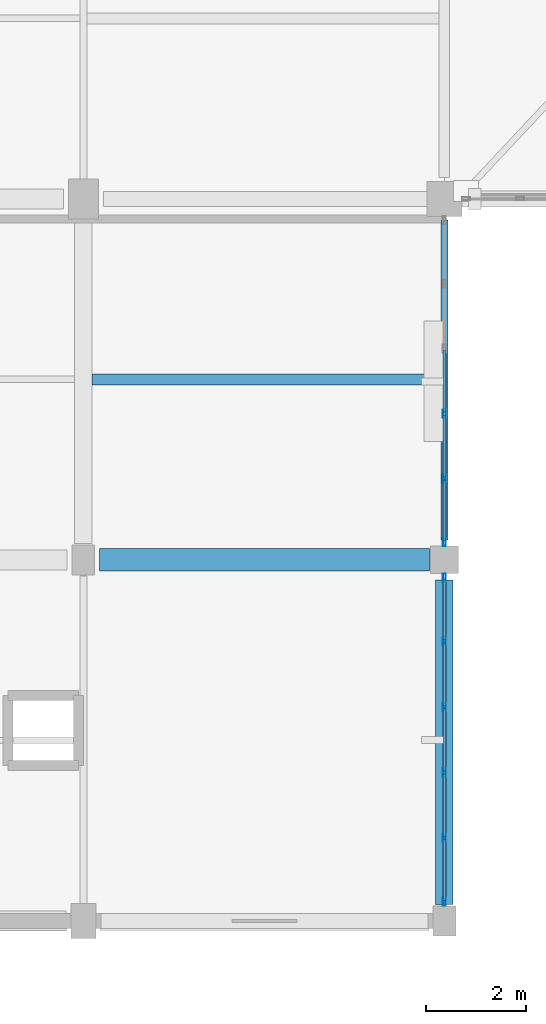
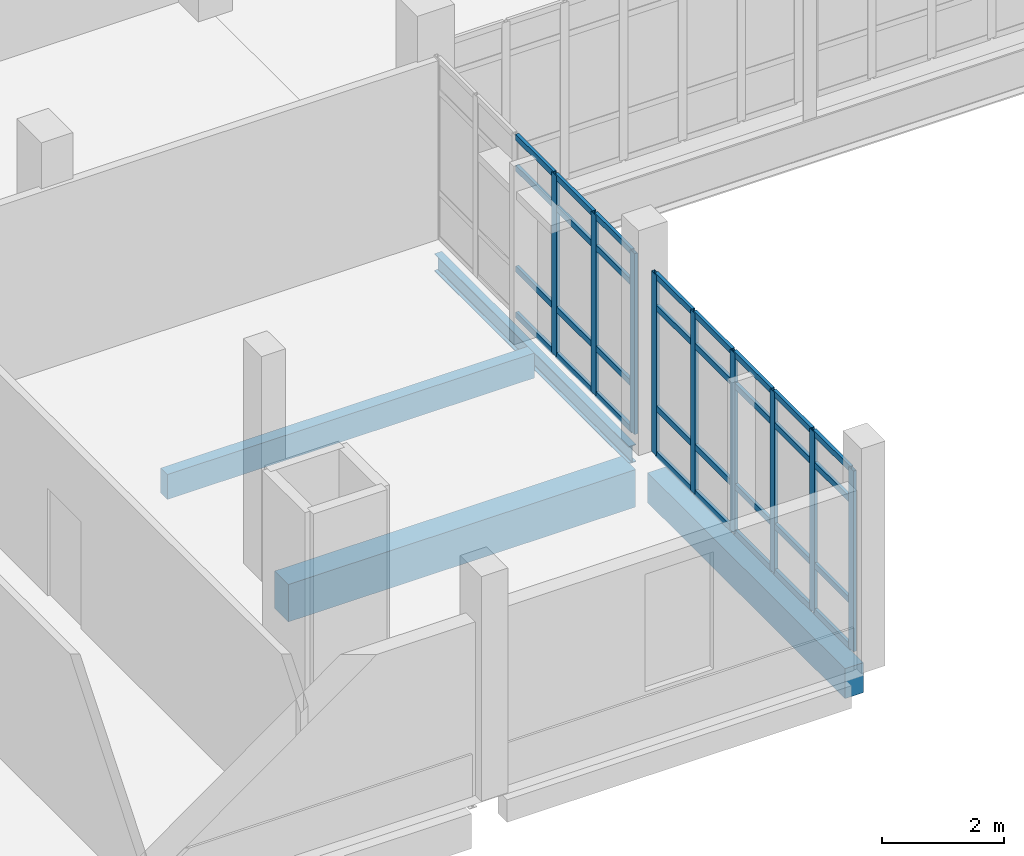
# One storey, part 11 of 124: 41 members, 4 beams, 2 elements without a shape of their own.
"""IFC4 building model written with IfcOpenShell, lengths in metres."""

from ifc_helpers import new_model, si_unit, direction, frame, origin, origin_2d, place, context, subcontext, project, spatial, rectangle, hollow_rectangle, i_section, extrude, material, material_profile, profile_set, type_object, element, aggregate, save


model = new_model("IFC4")

# Units and contexts
model_context = context("Model", 3, precision=1e-05, world=origin(), true_north=direction((0.0, 1.0)))
body_context = subcontext(model_context, "Body", "Model", "MODEL_VIEW")
ifc_project = project(units=[si_unit("LENGTHUNIT", "METRE"), si_unit("AREAUNIT", "SQUARE_METRE"), si_unit("VOLUMEUNIT", "CUBIC_METRE"), si_unit("PLANEANGLEUNIT", "RADIAN"), si_unit("MASSUNIT", "GRAM", prefix="KILO")], contexts=[model_context])

# Site, building, storey
site_placement = place(None, origin())
site = spatial("IfcSite", under=ifc_project, at=site_placement, CompositionType="ELEMENT")
building_placement = place(site_placement, origin())
building = spatial("IfcBuilding", under=site, at=building_placement, Name="Kalluvel Institute of Natural Sciences", CompositionType="ELEMENT")
storey_placement = place(building_placement, frame((0.0, 0.0, 9.89990234375)))
storey = spatial("IfcBuildingStorey", under=building, at=storey_placement, Name="L02", CompositionType="ELEMENT", Elevation=9.89990234375)

# Beams
ifc_material_1 = material(Name="Steel E350 Grade 350", Category="steel")
ifc_material_profile_1 = material_profile(ifc_material_1, i_section(OverallWidth=0.139892578125, OverallDepth=0.35009765625, WebThickness=0.008056640625, FlangeThickness=0.01416015625, FilletRadius=0.013916015625, at=origin_2d()), Name="ISMB 350")
ifc_profile_set_1 = profile_set([ifc_material_profile_1], Name="Steel E350 Grade 350")
beam_type_1 = type_object("IfcBeamType", Name="BM-ISMB350", PredefinedType="BEAM", material=ifc_profile_set_1)
beam_1_placement = place(storey_placement, frame((35.60009765625, 21.60009765625, -0.474853515625), z_axis=(0.0, 1.0, 0.0), x_axis=(-1.0, 0.0, 0.0)))
element("IfcBeam", 1, at=beam_1_placement, inside=storey, type_object=beam_type_1, Name="L02 girder GIR-L02-NS-X356-Y212", PredefinedType="BEAM", context=body_context, shape_type="SweptSolid", body=[
    extrude(i_section(OverallWidth=0.139892578125, OverallDepth=0.35009765625, WebThickness=0.008056640625, FlangeThickness=0.01416015625, FilletRadius=0.013916015625, at=origin_2d()), origin(), (0.0, 0.0, 1.0), 6.375),
])
ifc_material_2 = material(Name="Concrete M40", Category="concrete")
ifc_material_profile_2 = material_profile(ifc_material_2, rectangle(XDim=0.35009765625, YDim=0.60009765625, at=origin_2d()), Name="RCB 350x600")
ifc_profile_set_2 = profile_set([ifc_material_profile_2], Name="Concrete M40")
beam_type_2 = type_object("IfcBeamType", Name="BM-RC350x600", PredefinedType="BEAM", material=ifc_profile_set_2)
beam_2_placement = place(storey_placement, frame((35.60009765625, 14.324951171875, -0.599853515625), z_axis=(0.0, 1.0, 0.0), x_axis=(-1.0, 0.0, 0.0)))
element("IfcBeam", 2, at=beam_2_placement, inside=storey, type_object=beam_type_2, Name="L02 girder GIR-L02-NS-X356-Y140", PredefinedType="BEAM", context=body_context, shape_type="SweptSolid", body=[
    extrude(rectangle(XDim=0.35009765625, YDim=0.60009765625, at=origin_2d()), origin(), (0.0, 0.0, 1.0), 6.47509765625),
])
ifc_material_profile_3 = material_profile(ifc_material_2, rectangle(XDim=0.449951171875, YDim=0.75, at=origin_2d()), Name="RCB 450x750")
ifc_profile_set_3 = profile_set([ifc_material_profile_3], Name="Concrete M40")
beam_type_3 = type_object("IfcBeamType", Name="BM-RC450x750", PredefinedType="BEAM", material=ifc_profile_set_3)
beam_3_placement = place(storey_placement, frame((28.72509765625, 21.199951171875, -0.6748046875), z_axis=(1.0, 0.0, 0.0), x_axis=(0.0, 1.0, 0.0)))
element("IfcBeam", 3, at=beam_3_placement, inside=storey, type_object=beam_type_3, Name="L02 girder GIR-L02-EW-X284-Y212", PredefinedType="BEAM", context=body_context, shape_type="SweptSolid", body=[
    extrude(rectangle(XDim=0.449951171875, YDim=0.75, at=origin_2d()), origin(), (0.0, 0.0, 1.0), 6.574951171875),
])

# Curtain wall, members
ifc_material_3 = material(Name="Aluminium AW-6063 T6", Category="aluminium")
curtain_wall_type = type_object("IfcCurtainWallType", Name="CW-DRY-45", PredefinedType="USERDEFINED", material=ifc_material_3)
curtain_wall_1_placement = place(storey_placement, origin())
curtain_wall_1 = element("IfcCurtainWall", 4, at=curtain_wall_1_placement, inside=storey, type_object=curtain_wall_type, Name="L02 Gothic lancet curtain wall CWA-L02-X356-Y144", ObjectType="UNITISED LANCET FACADE", PredefinedType="USERDEFINED")
ifc_material_profile_4 = material_profile(ifc_material_3, hollow_rectangle(XDim=0.06005859375, YDim=0.159912109375, WallThickness=0.00390625, at=origin_2d()), Name="CWM 60x160")
ifc_profile_set_4 = profile_set([ifc_material_profile_4], Name="Aluminium AW-6063 T6")
member_type_1 = type_object("IfcMemberType", Name="CWM-60x160", PredefinedType="MULLION", material=ifc_profile_set_4)
member_1_placement = place(storey_placement, frame((35.60009765625, 14.3798828125, 0.0), z_axis=(0.0, 0.0, 1.0), x_axis=(-1.0, 0.0, 0.0)))
member_1 = element("IfcMember", 5, at=member_1_placement, type_object=member_type_1, Name="CW-03 mullion 1", PredefinedType="MULLION", context=body_context, shape_type="SweptSolid", body=[
    extrude(hollow_rectangle(XDim=0.06005859375, YDim=0.159912109375, WallThickness=0.00390625, at=origin_2d()), origin(), (0.0, 0.0, 1.0), 3.6201171875),
])
member_2_placement = place(storey_placement, frame((35.60009765625, 15.655029296875, 0.0), z_axis=(0.0, 0.0, 1.0), x_axis=(-1.0, 0.0, 0.0)))
member_2 = element("IfcMember", 6, at=member_2_placement, type_object=member_type_1, Name="CW-03 mullion 2", PredefinedType="MULLION", context=body_context, shape_type="SweptSolid", body=[
    extrude(hollow_rectangle(XDim=0.06005859375, YDim=0.159912109375, WallThickness=0.00390625, at=origin_2d()), origin(), (0.0, 0.0, 1.0), 3.6201171875),
])
member_3_placement = place(storey_placement, frame((35.60009765625, 16.9599609375, 0.0), z_axis=(0.0, 0.0, 1.0), x_axis=(-1.0, 0.0, 0.0)))
member_3 = element("IfcMember", 7, at=member_3_placement, type_object=member_type_1, Name="CW-03 mullion 3", PredefinedType="MULLION", context=body_context, shape_type="SweptSolid", body=[
    extrude(hollow_rectangle(XDim=0.06005859375, YDim=0.159912109375, WallThickness=0.00390625, at=origin_2d()), origin(), (0.0, 0.0, 1.0), 3.6201171875),
])
member_4_placement = place(storey_placement, frame((35.60009765625, 18.264892578125, 0.0), z_axis=(0.0, 0.0, 1.0), x_axis=(-1.0, 0.0, 0.0)))
member_4 = element("IfcMember", 8, at=member_4_placement, type_object=member_type_1, Name="CW-03 mullion 4", PredefinedType="MULLION", context=body_context, shape_type="SweptSolid", body=[
    extrude(hollow_rectangle(XDim=0.06005859375, YDim=0.159912109375, WallThickness=0.00390625, at=origin_2d()), origin(), (0.0, 0.0, 1.0), 3.6201171875),
])
member_5_placement = place(storey_placement, frame((35.60009765625, 19.570068359375, 0.0), z_axis=(0.0, 0.0, 1.0), x_axis=(-1.0, 0.0, 0.0)))
member_5 = element("IfcMember", 9, at=member_5_placement, type_object=member_type_1, Name="CW-03 mullion 5", PredefinedType="MULLION", context=body_context, shape_type="SweptSolid", body=[
    extrude(hollow_rectangle(XDim=0.06005859375, YDim=0.159912109375, WallThickness=0.00390625, at=origin_2d()), origin(), (0.0, 0.0, 1.0), 3.6201171875),
])
member_6_placement = place(storey_placement, frame((35.60009765625, 20.844970703125, 0.0), z_axis=(0.0, 0.0, 1.0), x_axis=(-1.0, 0.0, 0.0)))
member_6 = element("IfcMember", 10, at=member_6_placement, type_object=member_type_1, Name="CW-03 mullion 6", PredefinedType="MULLION", context=body_context, shape_type="SweptSolid", body=[
    extrude(hollow_rectangle(XDim=0.06005859375, YDim=0.159912109375, WallThickness=0.00390625, at=origin_2d()), origin(), (0.0, 0.0, 1.0), 3.6201171875),
])

curtain_wall_2_placement = place(storey_placement, origin())
curtain_wall_2 = element("IfcCurtainWall", 11, at=curtain_wall_2_placement, inside=storey, type_object=curtain_wall_type, Name="L02 Gothic lancet curtain wall CWA-L02-X356-Y215", ObjectType="UNITISED LANCET FACADE", PredefinedType="USERDEFINED")
member_7_placement = place(storey_placement, frame((35.60009765625, 21.554931640625, 0.0), z_axis=(0.0, 0.0, 1.0), x_axis=(-1.0, 0.0, 0.0)))
member_7 = element("IfcMember", 12, at=member_7_placement, type_object=member_type_1, Name="CW-03 mullion 1", PredefinedType="MULLION", context=body_context, shape_type="SweptSolid", body=[
    extrude(hollow_rectangle(XDim=0.06005859375, YDim=0.159912109375, WallThickness=0.00390625, at=origin_2d()), origin(), (0.0, 0.0, 1.0), 3.6201171875),
])
member_8_placement = place(storey_placement, frame((35.60009765625, 22.820068359375, 0.0), z_axis=(0.0, 0.0, 1.0), x_axis=(-1.0, 0.0, 0.0)))
member_8 = element("IfcMember", 13, at=member_8_placement, type_object=member_type_1, Name="CW-03 mullion 2", PredefinedType="MULLION", context=body_context, shape_type="SweptSolid", body=[
    extrude(hollow_rectangle(XDim=0.06005859375, YDim=0.159912109375, WallThickness=0.00390625, at=origin_2d()), origin(), (0.0, 0.0, 1.0), 3.6201171875),
])
member_9_placement = place(storey_placement, frame((35.60009765625, 24.114990234375, 0.0), z_axis=(0.0, 0.0, 1.0), x_axis=(-1.0, 0.0, 0.0)))
member_9 = element("IfcMember", 14, at=member_9_placement, type_object=member_type_1, Name="CW-03 mullion 3", PredefinedType="MULLION", context=body_context, shape_type="SweptSolid", body=[
    extrude(hollow_rectangle(XDim=0.06005859375, YDim=0.159912109375, WallThickness=0.00390625, at=origin_2d()), origin(), (0.0, 0.0, 1.0), 3.6201171875),
])

# Member
ifc_material_profile_5 = material_profile(ifc_material_3, hollow_rectangle(XDim=0.06005859375, YDim=0.1201171875, WallThickness=0.00390625, at=origin_2d()), Name="CWT 60x120")
ifc_profile_set_5 = profile_set([ifc_material_profile_5], Name="Aluminium AW-6063 T6")
member_type_2 = type_object("IfcMemberType", Name="CWT-60x120", PredefinedType="USERDEFINED", material=ifc_profile_set_5)
member_10_placement = place(storey_placement, frame((35.60009765625, 14.409912109375, 0.030029296875), z_axis=(0.0, 1.0, 0.0), x_axis=(-1.0, 0.0, 0.0)))
member_10 = element("IfcMember", 15, at=member_10_placement, type_object=member_type_2, Name="CW-03 transom 1.1", ObjectType="TRANSOM", PredefinedType="USERDEFINED", context=body_context, shape_type="SweptSolid", body=[
    extrude(hollow_rectangle(XDim=0.06005859375, YDim=0.1201171875, WallThickness=0.00390625, at=origin_2d()), origin(), (0.0, 0.0, 1.0), 1.215087890625),
])

member_11_placement = place(storey_placement, frame((35.60009765625, 14.409912109375, 0.9501953125), z_axis=(0.0, 1.0, 0.0), x_axis=(-1.0, 0.0, 0.0)))
member_11 = element("IfcMember", 16, at=member_11_placement, type_object=member_type_2, Name="CW-03 transom 1.2", ObjectType="TRANSOM", PredefinedType="USERDEFINED", context=body_context, shape_type="SweptSolid", body=[
    extrude(hollow_rectangle(XDim=0.06005859375, YDim=0.1201171875, WallThickness=0.00390625, at=origin_2d()), origin(), (0.0, 0.0, 1.0), 1.215087890625),
])

member_12_placement = place(storey_placement, frame((35.60009765625, 14.409912109375, 2.97021484375), z_axis=(0.0, 1.0, 0.0), x_axis=(-1.0, 0.0, 0.0)))
member_12 = element("IfcMember", 17, at=member_12_placement, type_object=member_type_2, Name="CW-03 transom 1.3", ObjectType="TRANSOM", PredefinedType="USERDEFINED", context=body_context, shape_type="SweptSolid", body=[
    extrude(hollow_rectangle(XDim=0.06005859375, YDim=0.1201171875, WallThickness=0.00390625, at=origin_2d()), origin(), (0.0, 0.0, 1.0), 1.215087890625),
])

member_13_placement = place(storey_placement, frame((35.60009765625, 14.409912109375, 3.590087890625), z_axis=(0.0, 1.0, 0.0), x_axis=(-1.0, 0.0, 0.0)))
member_13 = element("IfcMember", 18, at=member_13_placement, type_object=member_type_2, Name="CW-03 transom 1.4", ObjectType="TRANSOM", PredefinedType="USERDEFINED", context=body_context, shape_type="SweptSolid", body=[
    extrude(hollow_rectangle(XDim=0.06005859375, YDim=0.1201171875, WallThickness=0.00390625, at=origin_2d()), origin(), (0.0, 0.0, 1.0), 1.215087890625),
])

member_14_placement = place(storey_placement, frame((35.60009765625, 15.68505859375, 0.030029296875), z_axis=(0.0, 1.0, 0.0), x_axis=(-1.0, 0.0, 0.0)))
member_14 = element("IfcMember", 19, at=member_14_placement, type_object=member_type_2, Name="CW-03 transom 2.1", ObjectType="TRANSOM", PredefinedType="USERDEFINED", context=body_context, shape_type="SweptSolid", body=[
    extrude(hollow_rectangle(XDim=0.06005859375, YDim=0.1201171875, WallThickness=0.00390625, at=origin_2d()), origin(), (0.0, 0.0, 1.0), 1.244873046875),
])

member_15_placement = place(storey_placement, frame((35.60009765625, 15.68505859375, 0.9501953125), z_axis=(0.0, 1.0, 0.0), x_axis=(-1.0, 0.0, 0.0)))
member_15 = element("IfcMember", 20, at=member_15_placement, type_object=member_type_2, Name="CW-03 transom 2.2", ObjectType="TRANSOM", PredefinedType="USERDEFINED", context=body_context, shape_type="SweptSolid", body=[
    extrude(hollow_rectangle(XDim=0.06005859375, YDim=0.1201171875, WallThickness=0.00390625, at=origin_2d()), origin(), (0.0, 0.0, 1.0), 1.244873046875),
])

member_16_placement = place(storey_placement, frame((35.60009765625, 15.68505859375, 2.97021484375), z_axis=(0.0, 1.0, 0.0), x_axis=(-1.0, 0.0, 0.0)))
member_16 = element("IfcMember", 21, at=member_16_placement, type_object=member_type_2, Name="CW-03 transom 2.3", ObjectType="TRANSOM", PredefinedType="USERDEFINED", context=body_context, shape_type="SweptSolid", body=[
    extrude(hollow_rectangle(XDim=0.06005859375, YDim=0.1201171875, WallThickness=0.00390625, at=origin_2d()), origin(), (0.0, 0.0, 1.0), 1.244873046875),
])

member_17_placement = place(storey_placement, frame((35.60009765625, 15.68505859375, 3.590087890625), z_axis=(0.0, 1.0, 0.0), x_axis=(-1.0, 0.0, 0.0)))
member_17 = element("IfcMember", 22, at=member_17_placement, type_object=member_type_2, Name="CW-03 transom 2.4", ObjectType="TRANSOM", PredefinedType="USERDEFINED", context=body_context, shape_type="SweptSolid", body=[
    extrude(hollow_rectangle(XDim=0.06005859375, YDim=0.1201171875, WallThickness=0.00390625, at=origin_2d()), origin(), (0.0, 0.0, 1.0), 1.244873046875),
])

member_18_placement = place(storey_placement, frame((35.60009765625, 16.989990234375, 0.030029296875), z_axis=(0.0, 1.0, 0.0), x_axis=(-1.0, 0.0, 0.0)))
member_18 = element("IfcMember", 23, at=member_18_placement, type_object=member_type_2, Name="CW-03 transom 3.1", ObjectType="TRANSOM", PredefinedType="USERDEFINED", context=body_context, shape_type="SweptSolid", body=[
    extrude(hollow_rectangle(XDim=0.06005859375, YDim=0.1201171875, WallThickness=0.00390625, at=origin_2d()), origin(), (0.0, 0.0, 1.0), 1.2451171875),
])

member_19_placement = place(storey_placement, frame((35.60009765625, 16.989990234375, 0.9501953125), z_axis=(0.0, 1.0, 0.0), x_axis=(-1.0, 0.0, 0.0)))
member_19 = element("IfcMember", 24, at=member_19_placement, type_object=member_type_2, Name="CW-03 transom 3.2", ObjectType="TRANSOM", PredefinedType="USERDEFINED", context=body_context, shape_type="SweptSolid", body=[
    extrude(hollow_rectangle(XDim=0.06005859375, YDim=0.1201171875, WallThickness=0.00390625, at=origin_2d()), origin(), (0.0, 0.0, 1.0), 1.2451171875),
])

member_20_placement = place(storey_placement, frame((35.60009765625, 16.989990234375, 2.97021484375), z_axis=(0.0, 1.0, 0.0), x_axis=(-1.0, 0.0, 0.0)))
member_20 = element("IfcMember", 25, at=member_20_placement, type_object=member_type_2, Name="CW-03 transom 3.3", ObjectType="TRANSOM", PredefinedType="USERDEFINED", context=body_context, shape_type="SweptSolid", body=[
    extrude(hollow_rectangle(XDim=0.06005859375, YDim=0.1201171875, WallThickness=0.00390625, at=origin_2d()), origin(), (0.0, 0.0, 1.0), 1.2451171875),
])

member_21_placement = place(storey_placement, frame((35.60009765625, 16.989990234375, 3.590087890625), z_axis=(0.0, 1.0, 0.0), x_axis=(-1.0, 0.0, 0.0)))
member_21 = element("IfcMember", 26, at=member_21_placement, type_object=member_type_2, Name="CW-03 transom 3.4", ObjectType="TRANSOM", PredefinedType="USERDEFINED", context=body_context, shape_type="SweptSolid", body=[
    extrude(hollow_rectangle(XDim=0.06005859375, YDim=0.1201171875, WallThickness=0.00390625, at=origin_2d()), origin(), (0.0, 0.0, 1.0), 1.2451171875),
])

member_22_placement = place(storey_placement, frame((35.60009765625, 18.294921875, 0.030029296875), z_axis=(0.0, 1.0, 0.0), x_axis=(-1.0, 0.0, 0.0)))
member_22 = element("IfcMember", 27, at=member_22_placement, type_object=member_type_2, Name="CW-03 transom 4.1", ObjectType="TRANSOM", PredefinedType="USERDEFINED", context=body_context, shape_type="SweptSolid", body=[
    extrude(hollow_rectangle(XDim=0.06005859375, YDim=0.1201171875, WallThickness=0.00390625, at=origin_2d()), origin(), (0.0, 0.0, 1.0), 1.2451171875),
])

member_23_placement = place(storey_placement, frame((35.60009765625, 18.294921875, 0.9501953125), z_axis=(0.0, 1.0, 0.0), x_axis=(-1.0, 0.0, 0.0)))
member_23 = element("IfcMember", 28, at=member_23_placement, type_object=member_type_2, Name="CW-03 transom 4.2", ObjectType="TRANSOM", PredefinedType="USERDEFINED", context=body_context, shape_type="SweptSolid", body=[
    extrude(hollow_rectangle(XDim=0.06005859375, YDim=0.1201171875, WallThickness=0.00390625, at=origin_2d()), origin(), (0.0, 0.0, 1.0), 1.2451171875),
])

member_24_placement = place(storey_placement, frame((35.60009765625, 18.294921875, 2.97021484375), z_axis=(0.0, 1.0, 0.0), x_axis=(-1.0, 0.0, 0.0)))
member_24 = element("IfcMember", 29, at=member_24_placement, type_object=member_type_2, Name="CW-03 transom 4.3", ObjectType="TRANSOM", PredefinedType="USERDEFINED", context=body_context, shape_type="SweptSolid", body=[
    extrude(hollow_rectangle(XDim=0.06005859375, YDim=0.1201171875, WallThickness=0.00390625, at=origin_2d()), origin(), (0.0, 0.0, 1.0), 1.2451171875),
])

member_25_placement = place(storey_placement, frame((35.60009765625, 18.294921875, 3.590087890625), z_axis=(0.0, 1.0, 0.0), x_axis=(-1.0, 0.0, 0.0)))
member_25 = element("IfcMember", 30, at=member_25_placement, type_object=member_type_2, Name="CW-03 transom 4.4", ObjectType="TRANSOM", PredefinedType="USERDEFINED", context=body_context, shape_type="SweptSolid", body=[
    extrude(hollow_rectangle(XDim=0.06005859375, YDim=0.1201171875, WallThickness=0.00390625, at=origin_2d()), origin(), (0.0, 0.0, 1.0), 1.2451171875),
])

member_26_placement = place(storey_placement, frame((35.60009765625, 19.60009765625, 0.030029296875), z_axis=(0.0, 1.0, 0.0), x_axis=(-1.0, 0.0, 0.0)))
member_26 = element("IfcMember", 31, at=member_26_placement, type_object=member_type_2, Name="CW-03 transom 5.1", ObjectType="TRANSOM", PredefinedType="USERDEFINED", context=body_context, shape_type="SweptSolid", body=[
    extrude(hollow_rectangle(XDim=0.06005859375, YDim=0.1201171875, WallThickness=0.00390625, at=origin_2d()), origin(), (0.0, 0.0, 1.0), 1.21484375),
])

member_27_placement = place(storey_placement, frame((35.60009765625, 19.60009765625, 0.9501953125), z_axis=(0.0, 1.0, 0.0), x_axis=(-1.0, 0.0, 0.0)))
member_27 = element("IfcMember", 32, at=member_27_placement, type_object=member_type_2, Name="CW-03 transom 5.2", ObjectType="TRANSOM", PredefinedType="USERDEFINED", context=body_context, shape_type="SweptSolid", body=[
    extrude(hollow_rectangle(XDim=0.06005859375, YDim=0.1201171875, WallThickness=0.00390625, at=origin_2d()), origin(), (0.0, 0.0, 1.0), 1.21484375),
])

member_28_placement = place(storey_placement, frame((35.60009765625, 19.60009765625, 2.97021484375), z_axis=(0.0, 1.0, 0.0), x_axis=(-1.0, 0.0, 0.0)))
member_28 = element("IfcMember", 33, at=member_28_placement, type_object=member_type_2, Name="CW-03 transom 5.3", ObjectType="TRANSOM", PredefinedType="USERDEFINED", context=body_context, shape_type="SweptSolid", body=[
    extrude(hollow_rectangle(XDim=0.06005859375, YDim=0.1201171875, WallThickness=0.00390625, at=origin_2d()), origin(), (0.0, 0.0, 1.0), 1.21484375),
])

member_29_placement = place(storey_placement, frame((35.60009765625, 19.60009765625, 3.590087890625), z_axis=(0.0, 1.0, 0.0), x_axis=(-1.0, 0.0, 0.0)))
member_29 = element("IfcMember", 34, at=member_29_placement, type_object=member_type_2, Name="CW-03 transom 5.4", ObjectType="TRANSOM", PredefinedType="USERDEFINED", context=body_context, shape_type="SweptSolid", body=[
    extrude(hollow_rectangle(XDim=0.06005859375, YDim=0.1201171875, WallThickness=0.00390625, at=origin_2d()), origin(), (0.0, 0.0, 1.0), 1.21484375),
])

aggregate(curtain_wall_1, [member_1, member_2, member_3, member_4, member_5, member_6, member_10, member_11, member_12, member_13, member_14, member_15, member_16, member_17, member_18, member_19, member_20, member_21, member_22, member_23, member_24, member_25, member_26, member_27, member_28, member_29])

member_30_placement = place(storey_placement, frame((35.60009765625, 21.5849609375, 0.030029296875), z_axis=(0.0, 1.0, 0.0), x_axis=(-1.0, 0.0, 0.0)))
member_30 = element("IfcMember", 35, at=member_30_placement, type_object=member_type_2, Name="CW-03 transom 1.1", ObjectType="TRANSOM", PredefinedType="USERDEFINED", context=body_context, shape_type="SweptSolid", body=[
    extrude(hollow_rectangle(XDim=0.06005859375, YDim=0.1201171875, WallThickness=0.00390625, at=origin_2d()), origin(), (0.0, 0.0, 1.0), 1.205078125),
])

member_31_placement = place(storey_placement, frame((35.60009765625, 21.5849609375, 0.9501953125), z_axis=(0.0, 1.0, 0.0), x_axis=(-1.0, 0.0, 0.0)))
member_31 = element("IfcMember", 36, at=member_31_placement, type_object=member_type_2, Name="CW-03 transom 1.2", ObjectType="TRANSOM", PredefinedType="USERDEFINED", context=body_context, shape_type="SweptSolid", body=[
    extrude(hollow_rectangle(XDim=0.06005859375, YDim=0.1201171875, WallThickness=0.00390625, at=origin_2d()), origin(), (0.0, 0.0, 1.0), 1.205078125),
])

member_32_placement = place(storey_placement, frame((35.60009765625, 21.5849609375, 2.97021484375), z_axis=(0.0, 1.0, 0.0), x_axis=(-1.0, 0.0, 0.0)))
member_32 = element("IfcMember", 37, at=member_32_placement, type_object=member_type_2, Name="CW-03 transom 1.3", ObjectType="TRANSOM", PredefinedType="USERDEFINED", context=body_context, shape_type="SweptSolid", body=[
    extrude(hollow_rectangle(XDim=0.06005859375, YDim=0.1201171875, WallThickness=0.00390625, at=origin_2d()), origin(), (0.0, 0.0, 1.0), 1.205078125),
])

member_33_placement = place(storey_placement, frame((35.60009765625, 21.5849609375, 3.590087890625), z_axis=(0.0, 1.0, 0.0), x_axis=(-1.0, 0.0, 0.0)))
member_33 = element("IfcMember", 38, at=member_33_placement, type_object=member_type_2, Name="CW-03 transom 1.4", ObjectType="TRANSOM", PredefinedType="USERDEFINED", context=body_context, shape_type="SweptSolid", body=[
    extrude(hollow_rectangle(XDim=0.06005859375, YDim=0.1201171875, WallThickness=0.00390625, at=origin_2d()), origin(), (0.0, 0.0, 1.0), 1.205078125),
])

member_34_placement = place(storey_placement, frame((35.60009765625, 22.85009765625, 0.030029296875), z_axis=(0.0, 1.0, 0.0), x_axis=(-1.0, 0.0, 0.0)))
member_34 = element("IfcMember", 39, at=member_34_placement, type_object=member_type_2, Name="CW-03 transom 2.1", ObjectType="TRANSOM", PredefinedType="USERDEFINED", context=body_context, shape_type="SweptSolid", body=[
    extrude(hollow_rectangle(XDim=0.06005859375, YDim=0.1201171875, WallThickness=0.00390625, at=origin_2d()), origin(), (0.0, 0.0, 1.0), 1.23486328125),
])

member_35_placement = place(storey_placement, frame((35.60009765625, 22.85009765625, 0.9501953125), z_axis=(0.0, 1.0, 0.0), x_axis=(-1.0, 0.0, 0.0)))
member_35 = element("IfcMember", 40, at=member_35_placement, type_object=member_type_2, Name="CW-03 transom 2.2", ObjectType="TRANSOM", PredefinedType="USERDEFINED", context=body_context, shape_type="SweptSolid", body=[
    extrude(hollow_rectangle(XDim=0.06005859375, YDim=0.1201171875, WallThickness=0.00390625, at=origin_2d()), origin(), (0.0, 0.0, 1.0), 1.23486328125),
])

member_36_placement = place(storey_placement, frame((35.60009765625, 22.85009765625, 2.97021484375), z_axis=(0.0, 1.0, 0.0), x_axis=(-1.0, 0.0, 0.0)))
member_36 = element("IfcMember", 41, at=member_36_placement, type_object=member_type_2, Name="CW-03 transom 2.3", ObjectType="TRANSOM", PredefinedType="USERDEFINED", context=body_context, shape_type="SweptSolid", body=[
    extrude(hollow_rectangle(XDim=0.06005859375, YDim=0.1201171875, WallThickness=0.00390625, at=origin_2d()), origin(), (0.0, 0.0, 1.0), 1.23486328125),
])

member_37_placement = place(storey_placement, frame((35.60009765625, 22.85009765625, 3.590087890625), z_axis=(0.0, 1.0, 0.0), x_axis=(-1.0, 0.0, 0.0)))
member_37 = element("IfcMember", 42, at=member_37_placement, type_object=member_type_2, Name="CW-03 transom 2.4", ObjectType="TRANSOM", PredefinedType="USERDEFINED", context=body_context, shape_type="SweptSolid", body=[
    extrude(hollow_rectangle(XDim=0.06005859375, YDim=0.1201171875, WallThickness=0.00390625, at=origin_2d()), origin(), (0.0, 0.0, 1.0), 1.23486328125),
])

member_38_placement = place(storey_placement, frame((35.60009765625, 24.14501953125, 0.030029296875), z_axis=(0.0, 1.0, 0.0), x_axis=(-1.0, 0.0, 0.0)))
member_38 = element("IfcMember", 43, at=member_38_placement, type_object=member_type_2, Name="CW-03 transom 3.1", ObjectType="TRANSOM", PredefinedType="USERDEFINED", context=body_context, shape_type="SweptSolid", body=[
    extrude(hollow_rectangle(XDim=0.06005859375, YDim=0.1201171875, WallThickness=0.00390625, at=origin_2d()), origin(), (0.0, 0.0, 1.0), 1.23486328125),
])

member_39_placement = place(storey_placement, frame((35.60009765625, 24.14501953125, 0.9501953125), z_axis=(0.0, 1.0, 0.0), x_axis=(-1.0, 0.0, 0.0)))
member_39 = element("IfcMember", 44, at=member_39_placement, type_object=member_type_2, Name="CW-03 transom 3.2", ObjectType="TRANSOM", PredefinedType="USERDEFINED", context=body_context, shape_type="SweptSolid", body=[
    extrude(hollow_rectangle(XDim=0.06005859375, YDim=0.1201171875, WallThickness=0.00390625, at=origin_2d()), origin(), (0.0, 0.0, 1.0), 1.23486328125),
])

member_40_placement = place(storey_placement, frame((35.60009765625, 24.14501953125, 2.97021484375), z_axis=(0.0, 1.0, 0.0), x_axis=(-1.0, 0.0, 0.0)))
member_40 = element("IfcMember", 45, at=member_40_placement, type_object=member_type_2, Name="CW-03 transom 3.3", ObjectType="TRANSOM", PredefinedType="USERDEFINED", context=body_context, shape_type="SweptSolid", body=[
    extrude(hollow_rectangle(XDim=0.06005859375, YDim=0.1201171875, WallThickness=0.00390625, at=origin_2d()), origin(), (0.0, 0.0, 1.0), 1.23486328125),
])

member_41_placement = place(storey_placement, frame((35.60009765625, 24.14501953125, 3.590087890625), z_axis=(0.0, 1.0, 0.0), x_axis=(-1.0, 0.0, 0.0)))
member_41 = element("IfcMember", 46, at=member_41_placement, type_object=member_type_2, Name="CW-03 transom 3.4", ObjectType="TRANSOM", PredefinedType="USERDEFINED", context=body_context, shape_type="SweptSolid", body=[
    extrude(hollow_rectangle(XDim=0.06005859375, YDim=0.1201171875, WallThickness=0.00390625, at=origin_2d()), origin(), (0.0, 0.0, 1.0), 1.23486328125),
])

aggregate(curtain_wall_2, [member_7, member_8, member_9, member_30, member_31, member_32, member_33, member_34, member_35, member_36, member_37, member_38, member_39, member_40, member_41])

# Beam
ifc_material_profile_6 = material_profile(ifc_material_2, rectangle(XDim=0.219970703125, YDim=0.5, at=origin_2d()), Name="WAF 220x500")
ifc_profile_set_6 = profile_set([ifc_material_profile_6], Name="Concrete M40")
beam_type_4 = type_object("IfcBeamType", Name="WJ-220x500", PredefinedType="JOIST", material=ifc_profile_set_6)
beam_4_placement = place(storey_placement, frame((28.574951171875, 24.800048828125, -0.5498046875), z_axis=(1.0, 0.0, 0.0), x_axis=(0.0, 1.0, 0.0)))
element("IfcBeam", 47, at=beam_4_placement, inside=storey, type_object=beam_type_4, Name="L02 floor rib RIB-L02-0657", PredefinedType="JOIST", context=body_context, shape_type="SweptSolid", body=[
    extrude(rectangle(XDim=0.219970703125, YDim=0.5, at=origin_2d()), origin(), (0.0, 0.0, 1.0), 6.955078125),
])

save(model, "model.ifc")
